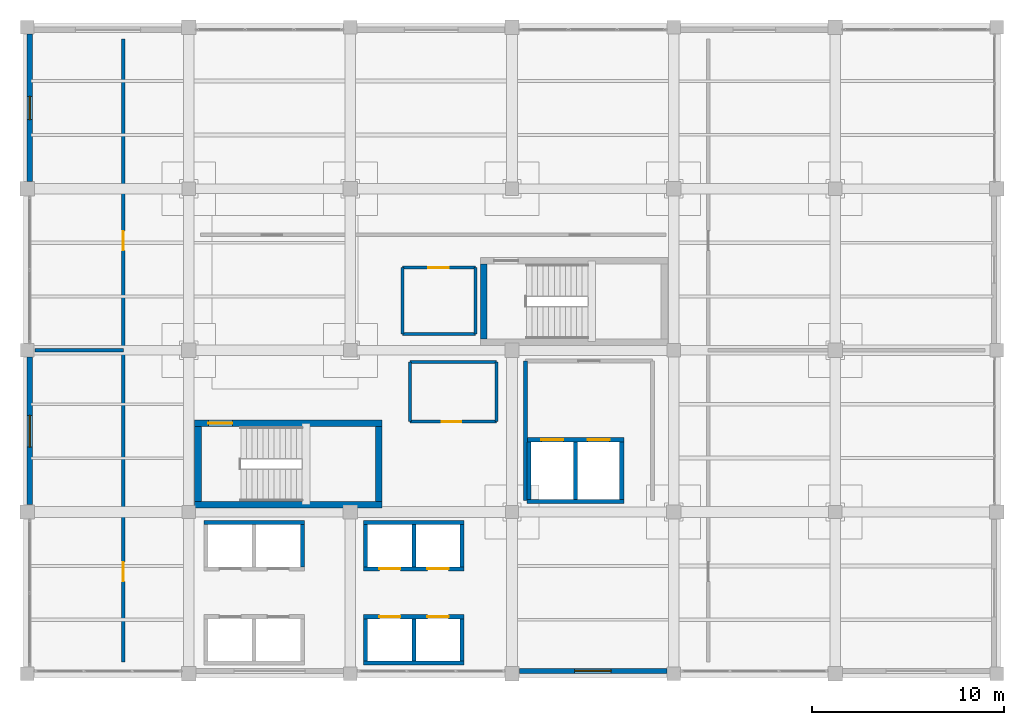
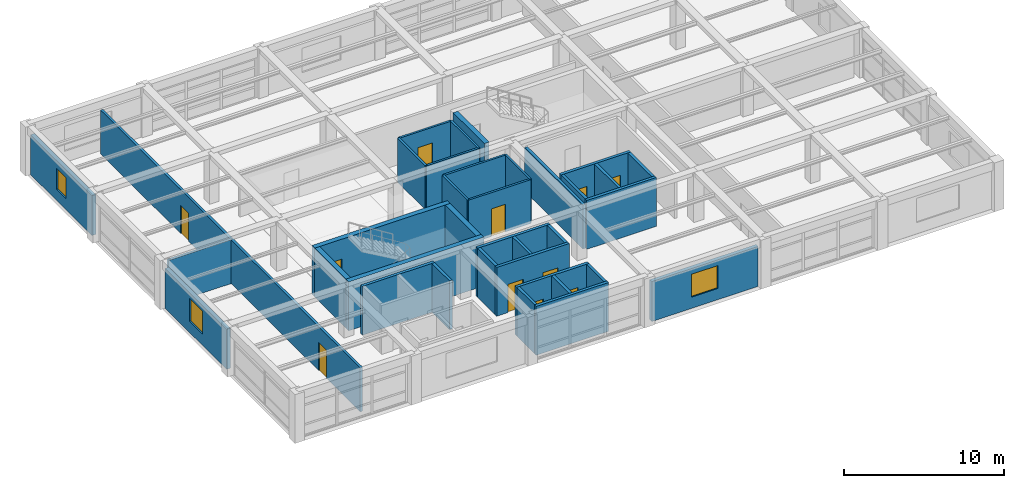
# One storey, part 24 of 26: 36 walls, 11 doors, 3 windows, 14 openings.
"""IFC4 building model written with IfcOpenShell, lengths in metres."""

from ifc_helpers import new_model, si_unit, direction, frame, frame_2d, origin, place, context, subcontext, project, spatial, rectangle, extrude, material, layer, layer_set, type_object, element, fill, save


model = new_model("IFC4")

# Units and contexts
model_context = context("Model", 3, precision=1e-05, world=origin(), true_north=direction((0.0, 1.0)))
body_context = subcontext(model_context, "Body", "Model", "MODEL_VIEW")
ifc_project = project(units=[si_unit("LENGTHUNIT", "METRE"), si_unit("AREAUNIT", "SQUARE_METRE"), si_unit("VOLUMEUNIT", "CUBIC_METRE"), si_unit("PLANEANGLEUNIT", "RADIAN"), si_unit("MASSUNIT", "GRAM", prefix="KILO")], contexts=[model_context])

# Site, building, storey
site_placement = place(None, origin())
site = spatial("IfcSite", under=ifc_project, at=site_placement, CompositionType="ELEMENT")
building_placement = place(site_placement, origin())
building = spatial("IfcBuilding", under=site, at=building_placement, Name="Almacenes y Pasaje Nevantli", CompositionType="ELEMENT")
storey_placement = place(building_placement, frame((0.0, 0.0, 30.699951171875)))
storey = spatial("IfcBuildingStorey", under=building, at=storey_placement, Name="L07", CompositionType="ELEMENT", Elevation=30.699951171875)

# Wall, openings, doors
ifc_material_1 = material(Name="Insulated Double-Gypsum Fire Partition", Category="gypsum")
ifc_layer_1 = layer(ifc_material_1, 0.179931640625)
ifc_layer_set_1 = layer_set([ifc_layer_1], Name="Insulated Double-Gypsum Fire Partition")
wall_type_1 = type_object("IfcWallType", Name="WL-COMP-180", PredefinedType="PARTITIONING", material=ifc_layer_set_1)
wall_1_placement = place(storey_placement, frame((114.199951171875, 67.800048828125, 0.0), z_axis=(0.0, 0.0, 1.0), x_axis=(0.0, 1.0, 0.0)))
wall_1 = element("IfcWall", 1, at=wall_1_placement, inside=storey, type_object=wall_type_1, Name="L07 Interior Partition Wall IW-180 #138", PredefinedType="PARTITIONING", context=body_context, shape_type="SweptSolid", body=[
    extrude(rectangle(XDim=32.39990234375, YDim=0.179931640625, at=frame_2d((16.199951171875, 0.0))), origin(), (0.0, 0.0, 1.0), 3.340087890625),
])
opening_1_placement = place(wall_1_placement, frame((4.199951171875, 0.0, 0.0)))
opening_1 = element("IfcOpeningElement", 2, at=opening_1_placement, cuts=wall_1, Name="Opening ID-L07-073", PredefinedType="OPENING", context=body_context, shape_type="SweptSolid", body=[
    extrude(rectangle(XDim=1.0, YDim=2.14990234375, at=frame_2d((0.5, 1.074951171875))), frame((0.0, 0.099853515625, 0.0), z_axis=(0.0, -1.0, 0.0), x_axis=(1.0, 0.0, 0.0)), (0.0, 0.0, 1.0), 0.199951171875),
])
opening_2_placement = place(wall_1_placement, frame((21.39990234375, 0.0, 0.0)))
opening_2 = element("IfcOpeningElement", 3, at=opening_2_placement, cuts=wall_1, Name="Opening ID-L07-074", PredefinedType="OPENING", context=body_context, shape_type="SweptSolid", body=[
    extrude(rectangle(XDim=1.0, YDim=2.14990234375, at=frame_2d((0.5, 1.074951171875))), frame((0.0, 0.099853515625, 0.0), z_axis=(0.0, -1.0, 0.0), x_axis=(1.0, 0.0, 0.0)), (0.0, 0.0, 1.0), 0.199951171875),
])
ifc_material_2 = material(Name="Fire-Rated Mineral-Core Steel", Category="steel")
door_type_1 = type_object("IfcDoorType", Name="DR-FD60-1000", OperationType="SINGLE_SWING_LEFT", PredefinedType="DOOR", material=ifc_material_2)
door_1_placement = place(opening_1_placement, origin())
door_1 = element("IfcDoor", 4, at=door_1_placement, inside=storey, type_object=door_type_1, Name="L07 L07 SW Suite Door", OperationType="SINGLE_SWING_LEFT", OverallHeight=2.14990234375, OverallWidth=1.0, PredefinedType="DOOR", context=body_context, shape_type="SweptSolid", body=[
    extrude(rectangle(XDim=1.0, YDim=2.14990234375, at=frame_2d((0.5, 1.074951171875))), frame((0.0, 0.02490234375, 0.0), z_axis=(0.0, -1.0, 0.0), x_axis=(1.0, 0.0, 0.0)), (0.0, 0.0, 1.0), 0.050048828125),
])
fill(opening_1, door_1)
ifc_material_3 = material(Name="Fire-Rated Mineral-Core Steel", Category="steel")
door_type_2 = type_object("IfcDoorType", Name="DR-FD60-1000R", OperationType="SINGLE_SWING_RIGHT", PredefinedType="DOOR", material=ifc_material_3)
door_2_placement = place(opening_2_placement, origin())
door_2 = element("IfcDoor", 5, at=door_2_placement, inside=storey, type_object=door_type_2, Name="L07 L07 NW Suite Door", OperationType="SINGLE_SWING_RIGHT", OverallHeight=2.14990234375, OverallWidth=1.0, PredefinedType="DOOR", context=body_context, shape_type="SweptSolid", body=[
    extrude(rectangle(XDim=1.0, YDim=2.14990234375, at=frame_2d((0.5, 1.074951171875))), frame((0.0, 0.02490234375, 0.0), z_axis=(0.0, -1.0, 0.0), x_axis=(1.0, 0.0, 0.0)), (0.0, 0.0, 1.0), 0.050048828125),
])
fill(opening_2, door_2)

# Walls
wall_2_placement = place(storey_placement, frame((109.60009765625, 84.0, 0.0), z_axis=(0.0, 0.0, 1.0), x_axis=(1.0, 0.0, 0.0)))
element("IfcWall", 6, at=wall_2_placement, inside=storey, type_object=wall_type_1, Name="L07 Interior Partition Wall IW-180 #139", PredefinedType="PARTITIONING", context=body_context, shape_type="SweptSolid", body=[
    extrude(rectangle(XDim=4.599853515625, YDim=0.179931640625, at=frame_2d((2.2998046875, 0.0))), origin(), (0.0, 0.0, 1.0), 3.340087890625),
])
ifc_material_4 = material(Name="Fire-Rated Concrete Blockwork", Category="masonry")
ifc_layer_2 = layer(ifc_material_4, 0.199951171875)
ifc_layer_set_2 = layer_set([ifc_layer_2], Name="Fire-Rated Concrete Blockwork")
wall_type_2 = type_object("IfcWallType", Name="WL-COMP-200", PredefinedType="PARTITIONING", material=ifc_layer_set_2)
wall_3_placement = place(storey_placement, frame((135.10009765625, 76.199951171875, 0.0), z_axis=(0.0, 0.0, 1.0), x_axis=(0.0, 1.0, 0.0)))
element("IfcWall", 7, at=wall_3_placement, inside=storey, type_object=wall_type_2, Name="L07 Interior Partition Wall IW-200 #128", PredefinedType="PARTITIONING", context=body_context, shape_type="SweptSolid", body=[
    extrude(rectangle(XDim=7.25, YDim=0.199951171875, at=frame_2d((3.625, 0.0))), origin(), (0.0, 0.0, 1.0), 3.340087890625),
])
ifc_material_5 = material(Name="Concrete C45/55", Category="concrete")
ifc_layer_3 = layer(ifc_material_5, 0.35009765625)
ifc_layer_set_3 = layer_set([ifc_layer_3], Name="Concrete C45/55")
wall_type_3 = type_object("IfcWallType", Name="WL-CORE-350", PredefinedType="SHEAR", material=ifc_layer_set_3)
wall_4_placement = place(storey_placement, frame((117.89990234375, 75.97509765625, 0.0), z_axis=(0.0, 0.0, 1.0), x_axis=(1.0, 0.0, 0.0)))
element("IfcWall", 8, at=wall_4_placement, inside=storey, type_object=wall_type_3, Name="L07 Exit Stair ST-01 South Core Shear Wall", PredefinedType="SHEAR", context=body_context, shape_type="SweptSolid", body=[
    extrude(rectangle(XDim=9.75, YDim=0.35009765625, at=frame_2d((4.875, 0.0))), origin(), (0.0, 0.0, 1.0), 3.719970703125),
])

# Wall, opening, door
wall_5_placement = place(storey_placement, frame((117.89990234375, 80.215087890625, 0.0), z_axis=(0.0, 0.0, 1.0), x_axis=(1.0, 0.0, 0.0)))
wall_5 = element("IfcWall", 9, at=wall_5_placement, inside=storey, type_object=wall_type_3, Name="L07 Exit Stair ST-01 North Core Shear Wall", PredefinedType="SHEAR", context=body_context, shape_type="SweptSolid", body=[
    extrude(rectangle(XDim=9.75, YDim=0.35009765625, at=frame_2d((4.875, 0.0))), origin(), (0.0, 0.0, 1.0), 3.719970703125),
])
opening_3_placement = place(wall_5_placement, frame((0.719970703125, 0.0, 0.0)))
opening_3 = element("IfcOpeningElement", 10, at=opening_3_placement, cuts=wall_5, Name="Opening SD-01-L07", PredefinedType="OPENING", context=body_context, shape_type="SweptSolid", body=[
    extrude(rectangle(XDim=1.25, YDim=2.199951171875, at=frame_2d((0.625, 1.10009765625))), frame((0.0, 0.18505859375, 0.0), z_axis=(0.0, -1.0, 0.0), x_axis=(1.0, 0.0, 0.0)), (0.0, 0.0, 1.0), 0.3701171875),
])
ifc_material_6 = material(Name="Galvanized Fire-Rated Steel", Category="steel")
door_type_3 = type_object("IfcDoorType", Name="DR-STAIR-1250", OperationType="SINGLE_SWING_LEFT", PredefinedType="DOOR", material=ifc_material_6)
door_3_placement = place(opening_3_placement, origin())
door_3 = element("IfcDoor", 11, at=door_3_placement, inside=storey, type_object=door_type_3, Name="L07 Smokeproof Exit Stair ST-01 Fire Door", OperationType="SINGLE_SWING_LEFT", OverallHeight=2.199951171875, OverallWidth=1.25, PredefinedType="DOOR", context=body_context, shape_type="SweptSolid", body=[
    extrude(rectangle(XDim=1.25, YDim=2.199951171875, at=frame_2d((0.625, 1.10009765625))), frame((0.0, 0.02490234375, 0.0), z_axis=(0.0, -1.0, 0.0), x_axis=(1.0, 0.0, 0.0)), (0.0, 0.0, 1.0), 0.050048828125),
])
fill(opening_3, door_3)

# Walls
for number, where, z_axis, x_axis, name in (
    (12, (118.074951171875, 76.14990234375, 0.0), (0.0, 0.0, 1.0), (0.0, 1.0, 0.0), "L07 Exit Stair ST-01 West Core Shear Wall"),
    (13, (127.47509765625, 76.14990234375, 0.0), (0.0, 0.0, 1.0), (0.0, 1.0, 0.0), "L07 Exit Stair ST-01 East Core Shear Wall"),
):
    element("IfcWall", number, at=place(storey_placement, frame(where, z_axis=z_axis, x_axis=x_axis)), inside=storey, type_object=wall_type_3, Name=name, PredefinedType="SHEAR", context=body_context, shape_type="SweptSolid", body=[
        extrude(rectangle(XDim=3.89013671875, YDim=0.35009765625, at=frame_2d((1.945068359375, 0.0))), origin(), (0.0, 0.0, 1.0), 3.719970703125),
    ])
wall_6_placement = place(storey_placement, frame((132.925048828125, 84.60009765625, 0.0), z_axis=(0.0, 0.0, 1.0), x_axis=(0.0, 1.0, 0.0)))
element("IfcWall", 14, at=wall_6_placement, inside=storey, type_object=wall_type_3, Name="L07 Exit Stair ST-02 West Core Shear Wall", PredefinedType="SHEAR", context=body_context, shape_type="SweptSolid", body=[
    extrude(rectangle(XDim=3.889892578125, YDim=0.35009765625, at=frame_2d((1.94482421875, 0.0))), origin(), (0.0, 0.0, 1.0), 3.719970703125),
])

# Wall, opening, window
ifc_material_7 = material(Name="Architectural Precast Concrete C35/45 Spandrel Wall", Category="concrete")
ifc_layer_4 = layer(ifc_material_7, 0.280029296875)
ifc_layer_set_4 = layer_set([ifc_layer_4], Name="Architectural Precast Concrete C35/45 Spandrel Wall")
wall_type_4 = type_object("IfcWallType", Name="WL-EXT-CANTERA-280", PredefinedType="SOLIDWALL", material=ifc_layer_set_4)
wall_7_placement = place(storey_placement, frame((109.340087890625, 75.97802734375, 0.0), z_axis=(0.0, 0.0, 1.0), x_axis=(0.0, 1.0, 0.0)))
wall_7 = element("IfcWall", 15, at=wall_7_placement, inside=storey, type_object=wall_type_4, Name="L07 Tower West Cantera Wall Bay 10", PredefinedType="SOLIDWALL", context=body_context, shape_type="SweptSolid", body=[
    extrude(rectangle(XDim=7.669921875, YDim=0.280029296875, at=frame_2d((3.8349609375, 0.0))), origin(), (0.0, 0.0, 1.0), 3.0400390625),
])
opening_4_placement = place(wall_7_placement, frame((2.9970703125, 0.0, 0.85009765625)))
opening_4 = element("IfcOpeningElement", 16, at=opening_4_placement, cuts=wall_7, Name="Opening WT-33-209", PredefinedType="OPENING", context=body_context, shape_type="SweptSolid", body=[
    extrude(rectangle(XDim=1.64990234375, YDim=1.75, at=frame_2d((0.824951171875, 0.875))), frame((0.0, 0.14990234375, 0.0), z_axis=(0.0, -1.0, 0.0), x_axis=(1.0, 0.0, 0.0)), (0.0, 0.0, 1.0), 0.300048828125),
])
ifc_material_8 = material(Name="Thermally Broken Aluminium and Low-E Double Glazing", Category="aluminium")
window_type_1 = type_object("IfcWindowType", Name="WN-TWR-1650x1750", PartitioningType="SINGLE_PANEL", PredefinedType="WINDOW", material=ifc_material_8)
window_1_placement = place(opening_4_placement, origin())
window_1 = element("IfcWindow", 17, at=window_1_placement, inside=storey, type_object=window_type_1, Name="L07 Exterior Window WT-33 #209", OverallHeight=1.75, OverallWidth=1.64990234375, PartitioningType="SINGLE_PANEL", PredefinedType="WINDOW", context=body_context, shape_type="SweptSolid", body=[
    extrude(rectangle(XDim=1.64990234375, YDim=1.75, at=frame_2d((0.824951171875, 0.875))), frame((0.0, 0.030029296875, 0.0), z_axis=(0.0, -1.0, 0.0), x_axis=(1.0, 0.0, 0.0)), (0.0, 0.0, 1.0), 0.06005859375),
])
fill(opening_4, window_1)

wall_8_placement = place(storey_placement, frame((109.340087890625, 92.778076171875, 0.0), z_axis=(0.0, 0.0, 1.0), x_axis=(0.0, 1.0, 0.0)))
wall_8 = element("IfcWall", 18, at=wall_8_placement, inside=storey, type_object=wall_type_4, Name="L07 Tower West Cantera Wall Bay 12", PredefinedType="SOLIDWALL", context=body_context, shape_type="SweptSolid", body=[
    extrude(rectangle(XDim=7.66796875, YDim=0.280029296875, at=frame_2d((3.833984375, 0.0))), origin(), (0.0, 0.0, 1.0), 3.0400390625),
])
opening_5_placement = place(wall_8_placement, frame((3.221923828125, 0.0, 0.85009765625)))
opening_5 = element("IfcOpeningElement", 19, at=opening_5_placement, cuts=wall_8, Name="Opening WT-35-211", PredefinedType="OPENING", context=body_context, shape_type="SweptSolid", body=[
    extrude(rectangle(XDim=1.199951171875, YDim=1.60009765625, at=frame_2d((0.60009765625, 0.800048828125))), frame((0.0, 0.14990234375, 0.0), z_axis=(0.0, -1.0, 0.0), x_axis=(1.0, 0.0, 0.0)), (0.0, 0.0, 1.0), 0.300048828125),
])
ifc_material_9 = material(Name="Thermally Broken Aluminium and Low-E Double Glazing", Category="aluminium")
window_type_2 = type_object("IfcWindowType", Name="WN-TWR-1200x1600", PartitioningType="SINGLE_PANEL", PredefinedType="WINDOW", material=ifc_material_9)
window_2_placement = place(opening_5_placement, origin())
window_2 = element("IfcWindow", 20, at=window_2_placement, inside=storey, type_object=window_type_2, Name="L07 Exterior Window WT-35 #211", OverallHeight=1.60009765625, OverallWidth=1.199951171875, PartitioningType="SINGLE_PANEL", PredefinedType="WINDOW", context=body_context, shape_type="SweptSolid", body=[
    extrude(rectangle(XDim=1.199951171875, YDim=1.60009765625, at=frame_2d((0.60009765625, 0.800048828125))), frame((0.0, 0.030029296875, 0.0), z_axis=(0.0, -1.0, 0.0), x_axis=(1.0, 0.0, 0.0)), (0.0, 0.0, 1.0), 0.06005859375),
])
fill(opening_5, window_2)

ifc_material_10 = material(Name="Cream Architectural Precast Concrete C35/45 Wall", Category="concrete")
ifc_layer_5 = layer(ifc_material_10, 0.260009765625)
ifc_layer_set_5 = layer_set([ifc_layer_5], Name="Cream Architectural Precast Concrete C35/45 Wall")
wall_type_5 = type_object("IfcWallType", Name="WL-EXT-PRECAST-260", PredefinedType="SOLIDWALL", material=ifc_layer_set_5)
wall_9_placement = place(storey_placement, frame((134.778076171875, 67.340087890625, 0.0), z_axis=(0.0, 0.0, 1.0), x_axis=(1.0, 0.0, 0.0)))
wall_9 = element("IfcWall", 21, at=wall_9_placement, inside=storey, type_object=wall_type_5, Name="L07 Tower South Precast Spandrel Wall Bay 17", PredefinedType="SOLIDWALL", context=body_context, shape_type="SweptSolid", body=[
    extrude(rectangle(XDim=7.66796875, YDim=0.260009765625, at=frame_2d((3.833984375, 0.0))), origin(), (0.0, 0.0, 1.0), 3.0400390625),
])
opening_6_placement = place(wall_9_placement, frame((2.8720703125, 0.0, 0.85009765625)))
opening_6 = element("IfcOpeningElement", 22, at=opening_6_placement, cuts=wall_9, Name="Opening WT-32-205", PredefinedType="OPENING", context=body_context, shape_type="SweptSolid", body=[
    extrude(rectangle(XDim=1.89990234375, YDim=1.75, at=frame_2d((0.949951171875, 0.875))), frame((0.0, 0.139892578125, 0.0), z_axis=(0.0, -1.0, 0.0), x_axis=(1.0, 0.0, 0.0)), (0.0, 0.0, 1.0), 0.280029296875),
])
ifc_material_11 = material(Name="Thermally Broken Aluminium and Low-E Double Glazing", Category="aluminium")
window_type_3 = type_object("IfcWindowType", Name="WN-TWR-1900x1750", PartitioningType="SINGLE_PANEL", PredefinedType="WINDOW", material=ifc_material_11)
window_3_placement = place(opening_6_placement, origin())
window_3 = element("IfcWindow", 23, at=window_3_placement, inside=storey, type_object=window_type_3, Name="L07 Exterior Window WT-32 #205", OverallHeight=1.75, OverallWidth=1.89990234375, PartitioningType="SINGLE_PANEL", PredefinedType="WINDOW", context=body_context, shape_type="SweptSolid", body=[
    extrude(rectangle(XDim=1.89990234375, YDim=1.75, at=frame_2d((0.949951171875, 0.875))), frame((0.0, 0.030029296875, 0.0), z_axis=(0.0, -1.0, 0.0), x_axis=(1.0, 0.0, 0.0)), (0.0, 0.0, 1.0), 0.06005859375),
])
fill(opening_6, window_3)

# Wall, opening, door
ifc_material_12 = material(Name="Acoustic Steel-Stud Gypsum Partition", Category="steel")
ifc_layer_6 = layer(ifc_material_12, 0.14990234375)
ifc_layer_set_6 = layer_set([ifc_layer_6], Name="Acoustic Steel-Stud Gypsum Partition")
wall_type_6 = type_object("IfcWallType", Name="WL-PART-150", PredefinedType="PARTITIONING", material=ifc_layer_set_6)
wall_10_placement = place(storey_placement, frame((129.10009765625, 80.300048828125, 0.0), z_axis=(0.0, 0.0, 1.0), x_axis=(1.0, 0.0, 0.0)))
wall_10 = element("IfcWall", 24, at=wall_10_placement, inside=storey, type_object=wall_type_6, Name="L07 Interior Partition Wall IW-150 #130", PredefinedType="PARTITIONING", context=body_context, shape_type="SweptSolid", body=[
    extrude(rectangle(XDim=4.5, YDim=0.14990234375, at=frame_2d((2.25, 0.0))), origin(), (0.0, 0.0, 1.0), 3.340087890625),
])
opening_7_placement = place(wall_10_placement, frame((1.64990234375, 0.0, 0.0)))
opening_7 = element("IfcOpeningElement", 25, at=opening_7_placement, cuts=wall_10, Name="Opening ID-L07-071", PredefinedType="OPENING", context=body_context, shape_type="SweptSolid", body=[
    extrude(rectangle(XDim=1.0, YDim=2.10009765625, at=frame_2d((0.5, 1.050048828125))), frame((0.0, 0.0849609375, 0.0), z_axis=(0.0, -1.0, 0.0), x_axis=(1.0, 0.0, 0.0)), (0.0, 0.0, 1.0), 0.169921875),
])
ifc_material_13 = material(Name="Powder-Coated Hollow Metal", Category="steel")
door_type_4 = type_object("IfcDoorType", Name="DR-INT-1000", OperationType="SINGLE_SWING_LEFT", PredefinedType="DOOR", material=ifc_material_13)
door_4_placement = place(opening_7_placement, origin())
door_4 = element("IfcDoor", 26, at=door_4_placement, inside=storey, type_object=door_type_4, Name="L07 Staff and Public WC Door", OperationType="SINGLE_SWING_LEFT", OverallHeight=2.10009765625, OverallWidth=1.0, PredefinedType="DOOR", context=body_context, shape_type="SweptSolid", body=[
    extrude(rectangle(XDim=1.0, YDim=2.10009765625, at=frame_2d((0.5, 1.050048828125))), frame((0.0, 0.02490234375, 0.0), z_axis=(0.0, -1.0, 0.0), x_axis=(1.0, 0.0, 0.0)), (0.0, 0.0, 1.0), 0.050048828125),
])
fill(opening_7, door_4)

# Walls
wall_11_placement = place(storey_placement, frame((129.10009765625, 83.39990234375, 0.0), z_axis=(0.0, 0.0, 1.0), x_axis=(1.0, 0.0, 0.0)))
element("IfcWall", 27, at=wall_11_placement, inside=storey, type_object=wall_type_6, Name="L07 Interior Partition Wall IW-150 #131", PredefinedType="PARTITIONING", context=body_context, shape_type="SweptSolid", body=[
    extrude(rectangle(XDim=4.5, YDim=0.14990234375, at=frame_2d((2.25, 0.0))), origin(), (0.0, 0.0, 1.0), 3.340087890625),
])
for number, where, z_axis, x_axis, name in (
    (28, (129.10009765625, 80.300048828125, 0.0), (0.0, 0.0, 1.0), (0.0, 1.0, 0.0), "L07 Interior Partition Wall IW-150 #132"),
    (29, (133.60009765625, 80.300048828125, 0.0), (0.0, 0.0, 1.0), (0.0, 1.0, 0.0), "L07 Interior Partition Wall IW-150 #133"),
):
    element("IfcWall", number, at=place(storey_placement, frame(where, z_axis=z_axis, x_axis=x_axis)), inside=storey, type_object=wall_type_6, Name=name, PredefinedType="PARTITIONING", context=body_context, shape_type="SweptSolid", body=[
        extrude(rectangle(XDim=3.099853515625, YDim=0.14990234375, at=frame_2d((1.5498046875, 0.0))), origin(), (0.0, 0.0, 1.0), 3.340087890625),
    ])

# Wall, opening, door
wall_12_placement = place(storey_placement, frame((128.699951171875, 88.300048828125, 0.0), z_axis=(0.0, 0.0, 1.0), x_axis=(1.0, 0.0, 0.0)))
wall_12 = element("IfcWall", 30, at=wall_12_placement, inside=storey, type_object=wall_type_6, Name="L07 Interior Partition Wall IW-150 #134", PredefinedType="PARTITIONING", context=body_context, shape_type="SweptSolid", body=[
    extrude(rectangle(XDim=3.800048828125, YDim=0.14990234375, at=frame_2d((1.89990234375, 0.0))), origin(), (0.0, 0.0, 1.0), 3.340087890625),
])
opening_8_placement = place(wall_12_placement, frame((1.35009765625, 0.0, 0.0)))
opening_8 = element("IfcOpeningElement", 31, at=opening_8_placement, cuts=wall_12, Name="Opening ID-L07-072", PredefinedType="OPENING", context=body_context, shape_type="SweptSolid", body=[
    extrude(rectangle(XDim=1.050048828125, YDim=2.14990234375, at=frame_2d((0.52490234375, 1.074951171875))), frame((0.0, 0.0849609375, 0.0), z_axis=(0.0, -1.0, 0.0), x_axis=(1.0, 0.0, 0.0)), (0.0, 0.0, 1.0), 0.169921875),
])
ifc_material_14 = material(Name="Powder-Coated Hollow Metal", Category="steel")
door_type_5 = type_object("IfcDoorType", Name="DR-ACC-1050", OperationType="SINGLE_SWING_RIGHT", PredefinedType="DOOR", material=ifc_material_14)
door_5_placement = place(opening_8_placement, origin())
door_5 = element("IfcDoor", 32, at=door_5_placement, inside=storey, type_object=door_type_5, Name="L07 Accessible WC Door", OperationType="SINGLE_SWING_RIGHT", OverallHeight=2.14990234375, OverallWidth=1.050048828125, PredefinedType="DOOR", context=body_context, shape_type="SweptSolid", body=[
    extrude(rectangle(XDim=1.050048828125, YDim=2.14990234375, at=frame_2d((0.52490234375, 1.074951171875))), frame((0.0, 0.02490234375, 0.0), z_axis=(0.0, -1.0, 0.0), x_axis=(1.0, 0.0, 0.0)), (0.0, 0.0, 1.0), 0.050048828125),
])
fill(opening_8, door_5)

# Walls
wall_13_placement = place(storey_placement, frame((128.699951171875, 84.85009765625, 0.0), z_axis=(0.0, 0.0, 1.0), x_axis=(1.0, 0.0, 0.0)))
element("IfcWall", 33, at=wall_13_placement, inside=storey, type_object=wall_type_6, Name="L07 Interior Partition Wall IW-150 #135", PredefinedType="PARTITIONING", context=body_context, shape_type="SweptSolid", body=[
    extrude(rectangle(XDim=3.800048828125, YDim=0.14990234375, at=frame_2d((1.89990234375, 0.0))), origin(), (0.0, 0.0, 1.0), 3.340087890625),
])
for number, where, z_axis, x_axis, name in (
    (34, (128.699951171875, 84.85009765625, 0.0), (0.0, 0.0, 1.0), (0.0, 1.0, 0.0), "L07 Interior Partition Wall IW-150 #136"),
    (35, (132.5, 84.85009765625, 0.0), (0.0, 0.0, 1.0), (0.0, 1.0, 0.0), "L07 Interior Partition Wall IW-150 #137"),
):
    element("IfcWall", number, at=place(storey_placement, frame(where, z_axis=z_axis, x_axis=x_axis)), inside=storey, type_object=wall_type_6, Name=name, PredefinedType="PARTITIONING", context=body_context, shape_type="SweptSolid", body=[
        extrude(rectangle(XDim=3.449951171875, YDim=0.14990234375, at=frame_2d((1.72509765625, 0.0))), origin(), (0.0, 0.0, 1.0), 3.340087890625),
    ])
ifc_material_15 = material(Name="Concrete C45/55", Category="concrete")
ifc_layer_7 = layer(ifc_material_15, 0.2099609375)
ifc_layer_set_7 = layer_set([ifc_layer_7], Name="Concrete C45/55")
wall_type_7 = type_object("IfcWallType", Name="WL-SHAFT-210", PredefinedType="SHEAR", material=ifc_layer_set_7)
wall_14_placement = place(storey_placement, frame((126.68994140625, 67.7451171875, 0.0), z_axis=(0.0, 0.0, 1.0), x_axis=(1.0, 0.0, 0.0)))
element("IfcWall", 36, at=wall_14_placement, inside=storey, type_object=wall_type_7, Name="L07 Lift Hoistway ELV-P01-ELV-P02 South Wall", PredefinedType="SHEAR", context=body_context, shape_type="SweptSolid", body=[
    extrude(rectangle(XDim=5.219970703125, YDim=0.2099609375, at=frame_2d((2.60986328125, 0.0))), origin(), (0.0, 0.0, 1.0), 3.719970703125),
])

# Wall, openings, doors
wall_15_placement = place(storey_placement, frame((126.68994140625, 70.155029296875, 0.0), z_axis=(0.0, 0.0, 1.0), x_axis=(1.0, 0.0, 0.0)))
wall_15 = element("IfcWall", 37, at=wall_15_placement, inside=storey, type_object=wall_type_7, Name="L07 Lift Hoistway ELV-P01-ELV-P02 North Wall", PredefinedType="SHEAR", context=body_context, shape_type="SweptSolid", body=[
    extrude(rectangle(XDim=5.219970703125, YDim=0.2099609375, at=frame_2d((2.60986328125, 0.0))), origin(), (0.0, 0.0, 1.0), 3.719970703125),
])
opening_9_placement = place(wall_15_placement, frame((0.81005859375, 0.0, 0.0)))
opening_9 = element("IfcOpeningElement", 38, at=opening_9_placement, cuts=wall_15, Name="Opening LD-P01-L07", PredefinedType="OPENING", context=body_context, shape_type="SweptSolid", body=[
    extrude(rectangle(XDim=1.10009765625, YDim=2.14990234375, at=frame_2d((0.550048828125, 1.074951171875))), frame((0.0, 0.114990234375, 0.0), z_axis=(0.0, -1.0, 0.0), x_axis=(1.0, 0.0, 0.0)), (0.0, 0.0, 1.0), 0.22998046875),
])
opening_10_placement = place(wall_15_placement, frame((3.31005859375, 0.0, 0.0)))
opening_10 = element("IfcOpeningElement", 39, at=opening_10_placement, cuts=wall_15, Name="Opening LD-P02-L07", PredefinedType="OPENING", context=body_context, shape_type="SweptSolid", body=[
    extrude(rectangle(XDim=1.10009765625, YDim=2.14990234375, at=frame_2d((0.550048828125, 1.074951171875))), frame((0.0, 0.114990234375, 0.0), z_axis=(0.0, -1.0, 0.0), x_axis=(1.0, 0.0, 0.0)), (0.0, 0.0, 1.0), 0.22998046875),
])
ifc_material_16 = material(Name="Brushed Stainless Steel", Category="steel")
door_type_6 = type_object("IfcDoorType", Name="DR-LD-PASS-1100", OperationType="DOUBLE_DOOR_SLIDING", PredefinedType="DOOR", material=ifc_material_16)
door_6_placement = place(opening_9_placement, origin())
door_6 = element("IfcDoor", 40, at=door_6_placement, inside=storey, type_object=door_type_6, Name="Lift Landing Door ELV-P01 L07", OperationType="DOUBLE_DOOR_SLIDING", OverallHeight=2.14990234375, OverallWidth=1.10009765625, PredefinedType="DOOR", context=body_context, shape_type="SweptSolid", body=[
    extrude(rectangle(XDim=1.10009765625, YDim=2.14990234375, at=frame_2d((0.550048828125, 1.074951171875))), frame((0.0, 0.02490234375, 0.0), z_axis=(0.0, -1.0, 0.0), x_axis=(1.0, 0.0, 0.0)), (0.0, 0.0, 1.0), 0.050048828125),
])
fill(opening_9, door_6)
door_7_placement = place(opening_10_placement, origin())
door_7 = element("IfcDoor", 41, at=door_7_placement, inside=storey, type_object=door_type_6, Name="Lift Landing Door ELV-P02 L07", OperationType="DOUBLE_DOOR_SLIDING", OverallHeight=2.14990234375, OverallWidth=1.10009765625, PredefinedType="DOOR", context=body_context, shape_type="SweptSolid", body=[
    extrude(rectangle(XDim=1.10009765625, YDim=2.14990234375, at=frame_2d((0.550048828125, 1.074951171875))), frame((0.0, 0.02490234375, 0.0), z_axis=(0.0, -1.0, 0.0), x_axis=(1.0, 0.0, 0.0)), (0.0, 0.0, 1.0), 0.050048828125),
])
fill(opening_10, door_7)

# Walls
for number, where, z_axis, x_axis, name in (
    (42, (126.794921875, 67.85009765625, 0.0), (0.0, 0.0, 1.0), (0.0, 1.0, 0.0), "L07 Lift Hoistway ELV-P01 West Wall"),
    (43, (131.804931640625, 67.85009765625, 0.0), (0.0, 0.0, 1.0), (0.0, 1.0, 0.0), "L07 Lift Hoistway ELV-P02 East Wall"),
    (44, (129.300048828125, 67.85009765625, 0.0), (0.0, 0.0, 1.0), (0.0, 1.0, 0.0), "L07 Lift Hoistway Divider Wall ELV-P01/ELV-P02"),
):
    element("IfcWall", number, at=place(storey_placement, frame(where, z_axis=z_axis, x_axis=x_axis)), inside=storey, type_object=wall_type_7, Name=name, PredefinedType="SHEAR", context=body_context, shape_type="SweptSolid", body=[
        extrude(rectangle(XDim=2.199951171875, YDim=0.2099609375, at=frame_2d((1.10009765625, 0.0))), origin(), (0.0, 0.0, 1.0), 3.719970703125),
    ])

# Wall, openings, doors
wall_16_placement = place(storey_placement, frame((126.68994140625, 72.64501953125, 0.0), z_axis=(0.0, 0.0, 1.0), x_axis=(1.0, 0.0, 0.0)))
wall_16 = element("IfcWall", 45, at=wall_16_placement, inside=storey, type_object=wall_type_7, Name="L07 Lift Hoistway ELV-P03-ELV-P04 South Wall", PredefinedType="SHEAR", context=body_context, shape_type="SweptSolid", body=[
    extrude(rectangle(XDim=5.219970703125, YDim=0.2099609375, at=frame_2d((2.60986328125, 0.0))), origin(), (0.0, 0.0, 1.0), 3.719970703125),
])
opening_11_placement = place(wall_16_placement, frame((0.81005859375, 0.0, 0.0)))
opening_11 = element("IfcOpeningElement", 46, at=opening_11_placement, cuts=wall_16, Name="Opening LD-P03-L07", PredefinedType="OPENING", context=body_context, shape_type="SweptSolid", body=[
    extrude(rectangle(XDim=1.10009765625, YDim=2.14990234375, at=frame_2d((0.550048828125, 1.074951171875))), frame((0.0, 0.114990234375, 0.0), z_axis=(0.0, -1.0, 0.0), x_axis=(1.0, 0.0, 0.0)), (0.0, 0.0, 1.0), 0.22998046875),
])
opening_12_placement = place(wall_16_placement, frame((3.31005859375, 0.0, 0.0)))
opening_12 = element("IfcOpeningElement", 47, at=opening_12_placement, cuts=wall_16, Name="Opening LD-P04-L07", PredefinedType="OPENING", context=body_context, shape_type="SweptSolid", body=[
    extrude(rectangle(XDim=1.10009765625, YDim=2.14990234375, at=frame_2d((0.550048828125, 1.074951171875))), frame((0.0, 0.114990234375, 0.0), z_axis=(0.0, -1.0, 0.0), x_axis=(1.0, 0.0, 0.0)), (0.0, 0.0, 1.0), 0.22998046875),
])
door_8_placement = place(opening_11_placement, origin())
door_8 = element("IfcDoor", 48, at=door_8_placement, inside=storey, type_object=door_type_6, Name="Lift Landing Door ELV-P03 L07", OperationType="DOUBLE_DOOR_SLIDING", OverallHeight=2.14990234375, OverallWidth=1.10009765625, PredefinedType="DOOR", context=body_context, shape_type="SweptSolid", body=[
    extrude(rectangle(XDim=1.10009765625, YDim=2.14990234375, at=frame_2d((0.550048828125, 1.074951171875))), frame((0.0, 0.02490234375, 0.0), z_axis=(0.0, -1.0, 0.0), x_axis=(1.0, 0.0, 0.0)), (0.0, 0.0, 1.0), 0.050048828125),
])
fill(opening_11, door_8)
door_9_placement = place(opening_12_placement, origin())
door_9 = element("IfcDoor", 49, at=door_9_placement, inside=storey, type_object=door_type_6, Name="Lift Landing Door ELV-P04 L07", OperationType="DOUBLE_DOOR_SLIDING", OverallHeight=2.14990234375, OverallWidth=1.10009765625, PredefinedType="DOOR", context=body_context, shape_type="SweptSolid", body=[
    extrude(rectangle(XDim=1.10009765625, YDim=2.14990234375, at=frame_2d((0.550048828125, 1.074951171875))), frame((0.0, 0.02490234375, 0.0), z_axis=(0.0, -1.0, 0.0), x_axis=(1.0, 0.0, 0.0)), (0.0, 0.0, 1.0), 0.050048828125),
])
fill(opening_12, door_9)

# Walls
wall_17_placement = place(storey_placement, frame((126.68994140625, 75.054931640625, 0.0), z_axis=(0.0, 0.0, 1.0), x_axis=(1.0, 0.0, 0.0)))
element("IfcWall", 50, at=wall_17_placement, inside=storey, type_object=wall_type_7, Name="L07 Lift Hoistway ELV-P03-ELV-P04 North Wall", PredefinedType="SHEAR", context=body_context, shape_type="SweptSolid", body=[
    extrude(rectangle(XDim=5.219970703125, YDim=0.2099609375, at=frame_2d((2.60986328125, 0.0))), origin(), (0.0, 0.0, 1.0), 3.719970703125),
])
for number, where, z_axis, x_axis, name in (
    (51, (126.794921875, 72.75, 0.0), (0.0, 0.0, 1.0), (0.0, 1.0, 0.0), "L07 Lift Hoistway ELV-P03 West Wall"),
    (52, (131.804931640625, 72.75, 0.0), (0.0, 0.0, 1.0), (0.0, 1.0, 0.0), "L07 Lift Hoistway ELV-P04 East Wall"),
    (53, (129.300048828125, 72.75, 0.0), (0.0, 0.0, 1.0), (0.0, 1.0, 0.0), "L07 Lift Hoistway Divider Wall ELV-P03/ELV-P04"),
):
    element("IfcWall", number, at=place(storey_placement, frame(where, z_axis=z_axis, x_axis=x_axis)), inside=storey, type_object=wall_type_7, Name=name, PredefinedType="SHEAR", context=body_context, shape_type="SweptSolid", body=[
        extrude(rectangle(XDim=2.199951171875, YDim=0.2099609375, at=frame_2d((1.10009765625, 0.0))), origin(), (0.0, 0.0, 1.0), 3.719970703125),
    ])
wall_18_placement = place(storey_placement, frame((118.389892578125, 75.054931640625, 0.0), z_axis=(0.0, 0.0, 1.0), x_axis=(1.0, 0.0, 0.0)))
element("IfcWall", 54, at=wall_18_placement, inside=storey, type_object=wall_type_7, Name="L07 Lift Hoistway ELV-P07-ELV-P08 North Wall", PredefinedType="SHEAR", context=body_context, shape_type="SweptSolid", body=[
    extrude(rectangle(XDim=5.22021484375, YDim=0.2099609375, at=frame_2d((2.610107421875, 0.0))), origin(), (0.0, 0.0, 1.0), 3.719970703125),
])
wall_19_placement = place(storey_placement, frame((123.5048828125, 72.75, 0.0), z_axis=(0.0, 0.0, 1.0), x_axis=(0.0, 1.0, 0.0)))
element("IfcWall", 55, at=wall_19_placement, inside=storey, type_object=wall_type_7, Name="L07 Lift Hoistway ELV-P08 East Wall", PredefinedType="SHEAR", context=body_context, shape_type="SweptSolid", body=[
    extrude(rectangle(XDim=2.199951171875, YDim=0.2099609375, at=frame_2d((1.10009765625, 0.0))), origin(), (0.0, 0.0, 1.0), 3.719970703125),
])
wall_20_placement = place(storey_placement, frame((135.18994140625, 76.14501953125, 0.0), z_axis=(0.0, 0.0, 1.0), x_axis=(1.0, 0.0, 0.0)))
element("IfcWall", 56, at=wall_20_placement, inside=storey, type_object=wall_type_7, Name="L07 Lift Hoistway ELV-FF1-ELV-FF2 South Wall", PredefinedType="SHEAR", context=body_context, shape_type="SweptSolid", body=[
    extrude(rectangle(XDim=5.02001953125, YDim=0.2099609375, at=frame_2d((2.510009765625, 0.0))), origin(), (0.0, 0.0, 1.0), 3.719970703125),
])

# Wall, openings, doors
wall_21_placement = place(storey_placement, frame((135.18994140625, 79.35498046875, 0.0), z_axis=(0.0, 0.0, 1.0), x_axis=(1.0, 0.0, 0.0)))
wall_21 = element("IfcWall", 57, at=wall_21_placement, inside=storey, type_object=wall_type_7, Name="L07 Lift Hoistway ELV-FF1-ELV-FF2 North Wall", PredefinedType="SHEAR", context=body_context, shape_type="SweptSolid", body=[
    extrude(rectangle(XDim=5.02001953125, YDim=0.2099609375, at=frame_2d((2.510009765625, 0.0))), origin(), (0.0, 0.0, 1.0), 3.719970703125),
])
opening_13_placement = place(wall_21_placement, frame((0.735107421875, 0.0, 0.0)))
opening_13 = element("IfcOpeningElement", 58, at=opening_13_placement, cuts=wall_21, Name="Opening LD-FF1-L07", PredefinedType="OPENING", context=body_context, shape_type="SweptSolid", body=[
    extrude(rectangle(XDim=1.14990234375, YDim=2.199951171875, at=frame_2d((0.574951171875, 1.10009765625))), frame((0.0, 0.114990234375, 0.0), z_axis=(0.0, -1.0, 0.0), x_axis=(1.0, 0.0, 0.0)), (0.0, 0.0, 1.0), 0.22998046875),
])
opening_14_placement = place(wall_21_placement, frame((3.135009765625, 0.0, 0.0)))
opening_14 = element("IfcOpeningElement", 59, at=opening_14_placement, cuts=wall_21, Name="Opening LD-FF2-L07", PredefinedType="OPENING", context=body_context, shape_type="SweptSolid", body=[
    extrude(rectangle(XDim=1.14990234375, YDim=2.199951171875, at=frame_2d((0.574951171875, 1.10009765625))), frame((0.0, 0.114990234375, 0.0), z_axis=(0.0, -1.0, 0.0), x_axis=(1.0, 0.0, 0.0)), (0.0, 0.0, 1.0), 0.22998046875),
])
ifc_material_17 = material(Name="Fire-Rated Stainless Steel", Category="steel")
door_type_7 = type_object("IfcDoorType", Name="DR-LD-FF-1150", OperationType="DOUBLE_DOOR_SLIDING", PredefinedType="DOOR", material=ifc_material_17)
door_10_placement = place(opening_13_placement, origin())
door_10 = element("IfcDoor", 60, at=door_10_placement, inside=storey, type_object=door_type_7, Name="Lift Landing Door ELV-FF1 L07", OperationType="DOUBLE_DOOR_SLIDING", OverallHeight=2.199951171875, OverallWidth=1.14990234375, PredefinedType="DOOR", context=body_context, shape_type="SweptSolid", body=[
    extrude(rectangle(XDim=1.14990234375, YDim=2.199951171875, at=frame_2d((0.574951171875, 1.10009765625))), frame((0.0, 0.02490234375, 0.0), z_axis=(0.0, -1.0, 0.0), x_axis=(1.0, 0.0, 0.0)), (0.0, 0.0, 1.0), 0.050048828125),
])
fill(opening_13, door_10)
door_11_placement = place(opening_14_placement, origin())
door_11 = element("IfcDoor", 61, at=door_11_placement, inside=storey, type_object=door_type_7, Name="Lift Landing Door ELV-FF2 L07", OperationType="DOUBLE_DOOR_SLIDING", OverallHeight=2.199951171875, OverallWidth=1.14990234375, PredefinedType="DOOR", context=body_context, shape_type="SweptSolid", body=[
    extrude(rectangle(XDim=1.14990234375, YDim=2.199951171875, at=frame_2d((0.574951171875, 1.10009765625))), frame((0.0, 0.02490234375, 0.0), z_axis=(0.0, -1.0, 0.0), x_axis=(1.0, 0.0, 0.0)), (0.0, 0.0, 1.0), 0.050048828125),
])
fill(opening_14, door_11)

# Walls
for number, where, z_axis, x_axis, name in (
    (62, (135.294921875, 76.25, 0.0), (0.0, 0.0, 1.0), (0.0, 1.0, 0.0), "L07 Lift Hoistway ELV-FF1 West Wall"),
    (63, (140.10498046875, 76.25, 0.0), (0.0, 0.0, 1.0), (0.0, 1.0, 0.0), "L07 Lift Hoistway ELV-FF2 East Wall"),
    (64, (137.699951171875, 76.25, 0.0), (0.0, 0.0, 1.0), (0.0, 1.0, 0.0), "L07 Lift Hoistway Divider Wall ELV-FF1/ELV-FF2"),
):
    element("IfcWall", number, at=place(storey_placement, frame(where, z_axis=z_axis, x_axis=x_axis)), inside=storey, type_object=wall_type_7, Name=name, PredefinedType="SHEAR", context=body_context, shape_type="SweptSolid", body=[
        extrude(rectangle(XDim=3.0, YDim=0.2099609375, at=frame_2d((1.5, 0.0))), origin(), (0.0, 0.0, 1.0), 3.719970703125),
    ])

save(model, "model.ifc")
